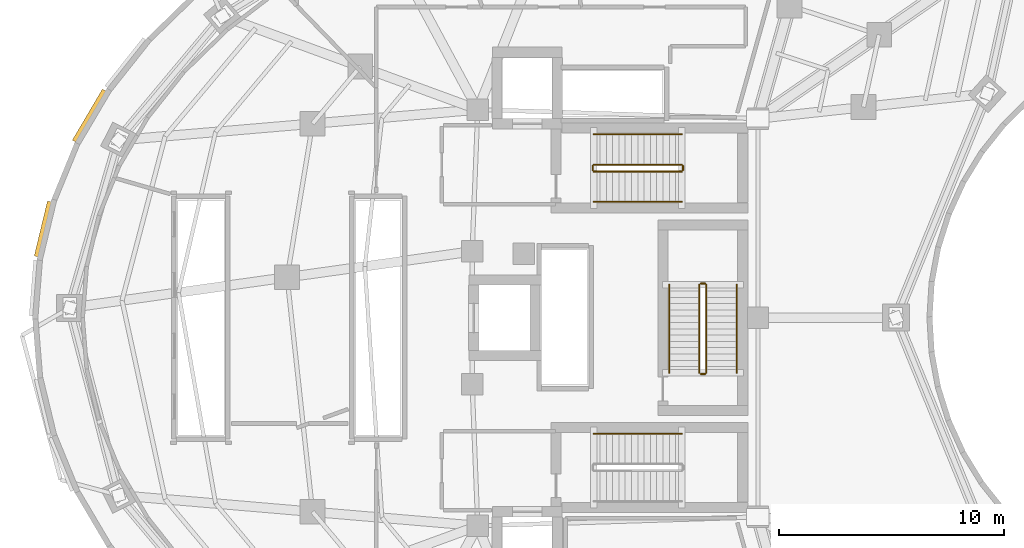
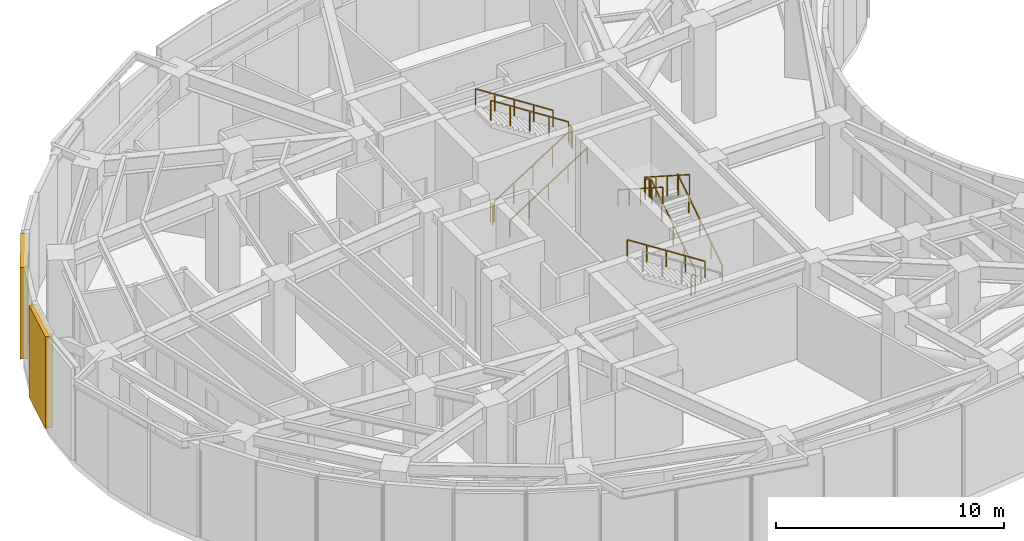
# One storey, part 9 of 10: 13 railings, 2 shading devices.
"""IFC4 building model written with IfcOpenShell, lengths in metres."""

from ifc_helpers import new_model, si_unit, direction, frame, origin, origin_2d, place, context, subcontext, project, spatial, rectangle, extrude, material, layer, layer_set, type_object, element, save


model = new_model("IFC4")

# Units and contexts
model_context = context("Model", 3, precision=1e-05, world=origin(), true_north=direction((0.0, 1.0)))
body_context = subcontext(model_context, "Body", "Model", "MODEL_VIEW")
ifc_project = project(units=[si_unit("LENGTHUNIT", "METRE"), si_unit("AREAUNIT", "SQUARE_METRE"), si_unit("VOLUMEUNIT", "CUBIC_METRE"), si_unit("PLANEANGLEUNIT", "RADIAN"), si_unit("MASSUNIT", "GRAM", prefix="KILO")], contexts=[model_context])

# Site, building, storey
site_placement = place(None, origin())
site = spatial("IfcSite", under=ifc_project, at=site_placement, CompositionType="ELEMENT")
building_placement = place(site_placement, origin())
building = spatial("IfcBuilding", under=site, at=building_placement, Name="Korentha Bioscience Tower", CompositionType="ELEMENT")
storey_placement = place(building_placement, frame((0.0, 0.0, 84.60009765625)))
storey = spatial("IfcBuildingStorey", under=building, at=storey_placement, Name="L19", CompositionType="ELEMENT", Elevation=84.60009765625)

# Shading devices
ifc_material_1 = material(Name="Powder-Coated Aluminium Louvre", Category="aluminium")
ifc_layer = layer(ifc_material_1, 0.1201171875, Name="Powder-Coated Aluminium Louvre")
ifc_layer_set = layer_set([ifc_layer], Name="Powder-Coated Aluminium Louvre (LV-350)")
shading_device_type = type_object("IfcShadingDeviceType", Name="Acoustic Weatherproof Aluminium Plant Louvre 350", PredefinedType="USERDEFINED", material=ifc_layer_set)
shading_device_1_placement = place(storey_placement, frame((7.903564453125, 35.939453125, 0.099853515625), z_axis=(0.0, 0.0, 1.0), x_axis=(-0.508189201454, -0.861245456026, 0.0)))
element("IfcShadingDevice", 1, at=shading_device_1_placement, inside=storey, type_object=shading_device_type, Name="L19 Acoustic Plant Louvre 15", ObjectType="LOUVRE", PredefinedType="USERDEFINED", context=body_context, shape_type="SweptSolid", body=[
    extrude(rectangle(XDim=2.635009765625, YDim=0.35009765625, at=origin_2d()), origin(), (0.0, 0.0, 1.0), 4.89990234375),
])
shading_device_2_placement = place(storey_placement, frame((5.854248046875, 30.925048828125, 0.099853515625), z_axis=(0.0, 0.0, 1.0), x_axis=(-0.233725851119, -0.972302538575, 0.0)))
element("IfcShadingDevice", 2, at=shading_device_2_placement, inside=storey, type_object=shading_device_type, Name="L19 Acoustic Plant Louvre 17", ObjectType="LOUVRE", PredefinedType="USERDEFINED", context=body_context, shape_type="SweptSolid", body=[
    extrude(rectangle(XDim=2.508544921875, YDim=0.35009765625, at=origin_2d()), origin(), (0.0, 0.0, 1.0), 4.89990234375),
])

# Railings
ifc_material_2 = material(Name="Stainless Steel 304", Category="steel")
railing_type_1 = type_object("IfcRailingType", Name="Brushed Stainless Stair Handrail 900", PredefinedType="HANDRAIL", material=ifc_material_2)
railing_1_placement = place(storey_placement, frame((30.25, 32.14990234375, 0.179931640625)))
element("IfcRailing", 3, at=railing_1_placement, inside=storey, type_object=railing_type_1, Name="L19 ST-1 stair handrail 1", PredefinedType="HANDRAIL", context=body_context, shape_type="SweptSolid", body=[
    extrude(rectangle(XDim=0.048095703125, YDim=0.048095703125, at=origin_2d()), frame((0.0, 0.0, 0.8759765625), z_axis=(0.841171666519, 0.0, 0.540768182723), x_axis=(0.0, 1.0, 0.0)), (0.0, 0.0, 1.0), 4.66015625),
    extrude(rectangle(XDim=0.0419921875, YDim=0.0419921875, at=origin_2d()), origin(), (0.0, 0.0, 1.0), 0.851806640625),
    extrude(rectangle(XDim=0.0419921875, YDim=0.0419921875, at=origin_2d()), frame((0.97998046875, 0.0, 0.6298828125)), (0.0, 0.0, 1.0), 0.851806640625),
    extrude(rectangle(XDim=0.0419921875, YDim=0.0419921875, at=origin_2d()), frame((1.9599609375, 0.0, 1.260009765625)), (0.0, 0.0, 1.0), 0.851806640625),
    extrude(rectangle(XDim=0.0419921875, YDim=0.0419921875, at=origin_2d()), frame((2.93994140625, 0.0, 1.89013671875)), (0.0, 0.0, 1.0), 0.851806640625),
    extrude(rectangle(XDim=0.0419921875, YDim=0.0419921875, at=origin_2d()), frame((3.919921875, 0.0, 2.52001953125)), (0.0, 0.0, 1.0), 0.851806640625),
])
for number, where, name in (
    (4, (34.169921875, 35.14990234375, 2.8798828125), "L19 ST-1 stair handrail 2"),
    (5, (34.169921875, 21.85009765625, 2.8798828125), "L19 ST-2 stair handrail 2"),
):
    element("IfcRailing", number, at=place(storey_placement, frame(where)), inside=storey, type_object=railing_type_1, Name=name, PredefinedType="HANDRAIL", context=body_context, shape_type="SweptSolid", body=[
        extrude(rectangle(XDim=0.048095703125, YDim=0.048095703125, at=origin_2d()), frame((0.0, 0.0, 0.8759765625), z_axis=(-0.841171666519, 0.0, 0.540768182723), x_axis=(0.0, -1.0, 0.0)), (0.0, 0.0, 1.0), 4.66015625),
        extrude(rectangle(XDim=0.0419921875, YDim=0.0419921875, at=origin_2d()), origin(), (0.0, 0.0, 1.0), 0.851806640625),
        extrude(rectangle(XDim=0.0419921875, YDim=0.0419921875, at=origin_2d()), frame((-0.97998046875, 0.0, 0.6298828125)), (0.0, 0.0, 1.0), 0.851806640625),
        extrude(rectangle(XDim=0.0419921875, YDim=0.0419921875, at=origin_2d()), frame((-1.9599609375, 0.0, 1.260009765625)), (0.0, 0.0, 1.0), 0.851806640625),
        extrude(rectangle(XDim=0.0419921875, YDim=0.0419921875, at=origin_2d()), frame((-2.93994140625, 0.0, 1.89013671875)), (0.0, 0.0, 1.0), 0.851806640625),
        extrude(rectangle(XDim=0.0419921875, YDim=0.0419921875, at=origin_2d()), frame((-3.919921875, 0.0, 2.52001953125)), (0.0, 0.0, 1.0), 0.851806640625),
    ])
railing_2_placement = place(storey_placement, frame((36.60009765625, 24.550048828125, 0.179931640625)))
element("IfcRailing", 6, at=railing_2_placement, inside=storey, type_object=railing_type_1, Name="L19 ST-3 stair handrail 1", PredefinedType="HANDRAIL", context=body_context, shape_type="SweptSolid", body=[
    extrude(rectangle(XDim=0.048095703125, YDim=0.048095703125, at=origin_2d()), frame((0.0, 0.0, 0.8759765625), z_axis=(0.0, 0.841171666519, 0.540768182723), x_axis=(-1.0, 0.0, 0.0)), (0.0, 0.0, 1.0), 4.66015625),
    extrude(rectangle(XDim=0.0419921875, YDim=0.0419921875, at=origin_2d()), origin(), (0.0, 0.0, 1.0), 0.851806640625),
    extrude(rectangle(XDim=0.0419921875, YDim=0.0419921875, at=origin_2d()), frame((0.0, 0.97998046875, 0.6298828125)), (0.0, 0.0, 1.0), 0.851806640625),
    extrude(rectangle(XDim=0.0419921875, YDim=0.0419921875, at=origin_2d()), frame((0.0, 1.9599609375, 1.260009765625)), (0.0, 0.0, 1.0), 0.851806640625),
    extrude(rectangle(XDim=0.0419921875, YDim=0.0419921875, at=origin_2d()), frame((0.0, 2.93994140625, 1.89013671875)), (0.0, 0.0, 1.0), 0.851806640625),
    extrude(rectangle(XDim=0.0419921875, YDim=0.0419921875, at=origin_2d()), frame((0.0, 3.919921875, 2.52001953125)), (0.0, 0.0, 1.0), 0.851806640625),
])
railing_3_placement = place(storey_placement, frame((33.60009765625, 28.469970703125, 2.8798828125)))
element("IfcRailing", 7, at=railing_3_placement, inside=storey, type_object=railing_type_1, Name="L19 ST-3 stair handrail 2", PredefinedType="HANDRAIL", context=body_context, shape_type="SweptSolid", body=[
    extrude(rectangle(XDim=0.048095703125, YDim=0.048095703125, at=origin_2d()), frame((0.0, 0.0, 0.8759765625), z_axis=(0.0, -0.841171666519, 0.540768182723), x_axis=(1.0, 0.0, 0.0)), (0.0, 0.0, 1.0), 4.66015625),
    extrude(rectangle(XDim=0.0419921875, YDim=0.0419921875, at=origin_2d()), origin(), (0.0, 0.0, 1.0), 0.851806640625),
    extrude(rectangle(XDim=0.0419921875, YDim=0.0419921875, at=origin_2d()), frame((0.0, -0.97998046875, 0.6298828125)), (0.0, 0.0, 1.0), 0.851806640625),
    extrude(rectangle(XDim=0.0419921875, YDim=0.0419921875, at=origin_2d()), frame((0.0, -1.9599609375, 1.260009765625)), (0.0, 0.0, 1.0), 0.851806640625),
    extrude(rectangle(XDim=0.0419921875, YDim=0.0419921875, at=origin_2d()), frame((0.0, -2.93994140625, 1.89013671875)), (0.0, 0.0, 1.0), 0.851806640625),
    extrude(rectangle(XDim=0.0419921875, YDim=0.0419921875, at=origin_2d()), frame((0.0, -3.919921875, 2.52001953125)), (0.0, 0.0, 1.0), 0.851806640625),
])
ifc_material_3 = material(Name="Painted Steel S275", Category="steel")
railing_type_2 = type_object("IfcRailingType", Name="Painted Steel Stair Well Guardrail 1100", PredefinedType="GUARDRAIL", material=ifc_material_3)
railing_4_placement = place(storey_placement, frame((30.25, 33.5, 0.179931640625)))
element("IfcRailing", 8, at=railing_4_placement, inside=storey, type_object=railing_type_2, Name="L19 ST-1 stair guard 1", PredefinedType="GUARDRAIL", context=body_context, shape_type="SweptSolid", body=[
    extrude(rectangle(XDim=0.048095703125, YDim=0.048095703125, at=origin_2d()), frame((0.0, 0.0, 1.076171875), z_axis=(0.841171666519, 0.0, 0.540768182723), x_axis=(0.0, 1.0, 0.0)), (0.0, 0.0, 1.0), 4.66015625),
    extrude(rectangle(XDim=0.0419921875, YDim=0.0419921875, at=origin_2d()), origin(), (0.0, 0.0, 1.0), 1.052001953125),
    extrude(rectangle(XDim=0.0419921875, YDim=0.0419921875, at=origin_2d()), frame((0.97998046875, 0.0, 0.6298828125)), (0.0, 0.0, 1.0), 1.052001953125),
    extrude(rectangle(XDim=0.0419921875, YDim=0.0419921875, at=origin_2d()), frame((1.9599609375, 0.0, 1.260009765625)), (0.0, 0.0, 1.0), 1.052001953125),
    extrude(rectangle(XDim=0.0419921875, YDim=0.0419921875, at=origin_2d()), frame((2.93994140625, 0.0, 1.89013671875)), (0.0, 0.0, 1.0), 1.052001953125),
    extrude(rectangle(XDim=0.0419921875, YDim=0.0419921875, at=origin_2d()), frame((3.919921875, 0.0, 2.52001953125)), (0.0, 0.0, 1.0), 1.052001953125),
])
railing_5_placement = place(storey_placement, frame((34.219970703125, 33.550048828125, 2.699951171875)))
element("IfcRailing", 9, at=railing_5_placement, inside=storey, type_object=railing_type_2, Name="L19 ST-1 stair guard 2", PredefinedType="GUARDRAIL", context=body_context, shape_type="SweptSolid", body=[
    extrude(rectangle(XDim=0.048095703125, YDim=0.048095703125, at=origin_2d()), frame((0.0, 0.0, 1.076171875), z_axis=(0.0, 1.0, 0.0), x_axis=(-1.0, 0.0, 0.0)), (0.0, 0.0, 1.0), 0.199951171875),
    extrude(rectangle(XDim=0.0419921875, YDim=0.0419921875, at=origin_2d()), origin(), (0.0, 0.0, 1.0), 1.052001953125),
    extrude(rectangle(XDim=0.0419921875, YDim=0.0419921875, at=origin_2d()), frame((0.0, 0.199951171875, 0.0)), (0.0, 0.0, 1.0), 1.052001953125),
])
railing_6_placement = place(storey_placement, frame((34.169921875, 33.800048828125, 2.8798828125)))
element("IfcRailing", 10, at=railing_6_placement, inside=storey, type_object=railing_type_2, Name="L19 ST-1 stair guard 3", PredefinedType="GUARDRAIL", context=body_context, shape_type="SweptSolid", body=[
    extrude(rectangle(XDim=0.048095703125, YDim=0.048095703125, at=origin_2d()), frame((0.0, 0.0, 1.076171875), z_axis=(-0.841171666519, 0.0, 0.540768182723), x_axis=(0.0, -1.0, 0.0)), (0.0, 0.0, 1.0), 4.66015625),
    extrude(rectangle(XDim=0.0419921875, YDim=0.0419921875, at=origin_2d()), origin(), (0.0, 0.0, 1.0), 1.052001953125),
    extrude(rectangle(XDim=0.0419921875, YDim=0.0419921875, at=origin_2d()), frame((-0.97998046875, 0.0, 0.6298828125)), (0.0, 0.0, 1.0), 1.052001953125),
    extrude(rectangle(XDim=0.0419921875, YDim=0.0419921875, at=origin_2d()), frame((-1.9599609375, 0.0, 1.260009765625)), (0.0, 0.0, 1.0), 1.052001953125),
    extrude(rectangle(XDim=0.0419921875, YDim=0.0419921875, at=origin_2d()), frame((-2.93994140625, 0.0, 1.89013671875)), (0.0, 0.0, 1.0), 1.052001953125),
    extrude(rectangle(XDim=0.0419921875, YDim=0.0419921875, at=origin_2d()), frame((-3.919921875, 0.0, 2.52001953125)), (0.0, 0.0, 1.0), 1.052001953125),
])
railing_7_placement = place(storey_placement, frame((30.199951171875, 33.550048828125, 0.0)))
element("IfcRailing", 11, at=railing_7_placement, inside=storey, type_object=railing_type_2, Name="L19 ST-1 stair guard 4", PredefinedType="GUARDRAIL", context=body_context, shape_type="SweptSolid", body=[
    extrude(rectangle(XDim=0.048095703125, YDim=0.048095703125, at=origin_2d()), frame((0.0, 0.0, 1.076171875), z_axis=(0.0, 1.0, 0.0), x_axis=(-1.0, 0.0, 0.0)), (0.0, 0.0, 1.0), 0.199951171875),
    extrude(rectangle(XDim=0.0419921875, YDim=0.0419921875, at=origin_2d()), origin(), (0.0, 0.0, 1.0), 1.052001953125),
    extrude(rectangle(XDim=0.0419921875, YDim=0.0419921875, at=origin_2d()), frame((0.0, 0.199951171875, 0.0)), (0.0, 0.0, 1.0), 1.052001953125),
])
railing_8_placement = place(storey_placement, frame((35.25, 24.550048828125, 0.179931640625)))
element("IfcRailing", 12, at=railing_8_placement, inside=storey, type_object=railing_type_2, Name="L19 ST-3 stair guard 1", PredefinedType="GUARDRAIL", context=body_context, shape_type="SweptSolid", body=[
    extrude(rectangle(XDim=0.048095703125, YDim=0.048095703125, at=origin_2d()), frame((0.0, 0.0, 1.076171875), z_axis=(0.0, 0.841171666519, 0.540768182723), x_axis=(-1.0, 0.0, 0.0)), (0.0, 0.0, 1.0), 4.66015625),
    extrude(rectangle(XDim=0.0419921875, YDim=0.0419921875, at=origin_2d()), origin(), (0.0, 0.0, 1.0), 1.052001953125),
    extrude(rectangle(XDim=0.0419921875, YDim=0.0419921875, at=origin_2d()), frame((0.0, 0.97998046875, 0.6298828125)), (0.0, 0.0, 1.0), 1.052001953125),
    extrude(rectangle(XDim=0.0419921875, YDim=0.0419921875, at=origin_2d()), frame((0.0, 1.9599609375, 1.260009765625)), (0.0, 0.0, 1.0), 1.052001953125),
    extrude(rectangle(XDim=0.0419921875, YDim=0.0419921875, at=origin_2d()), frame((0.0, 2.93994140625, 1.89013671875)), (0.0, 0.0, 1.0), 1.052001953125),
    extrude(rectangle(XDim=0.0419921875, YDim=0.0419921875, at=origin_2d()), frame((0.0, 3.919921875, 2.52001953125)), (0.0, 0.0, 1.0), 1.052001953125),
])
railing_9_placement = place(storey_placement, frame((35.199951171875, 28.52001953125, 2.699951171875)))
element("IfcRailing", 13, at=railing_9_placement, inside=storey, type_object=railing_type_2, Name="L19 ST-3 stair guard 2", PredefinedType="GUARDRAIL", context=body_context, shape_type="SweptSolid", body=[
    extrude(rectangle(XDim=0.048095703125, YDim=0.048095703125, at=origin_2d()), frame((0.0, 0.0, 1.076171875), z_axis=(-1.0, 0.0, 0.0), x_axis=(0.0, -1.0, 0.0)), (0.0, 0.0, 1.0), 0.199951171875),
    extrude(rectangle(XDim=0.0419921875, YDim=0.0419921875, at=origin_2d()), origin(), (0.0, 0.0, 1.0), 1.052001953125),
    extrude(rectangle(XDim=0.0419921875, YDim=0.0419921875, at=origin_2d()), frame((-0.199951171875, 0.0, 0.0)), (0.0, 0.0, 1.0), 1.052001953125),
])
railing_10_placement = place(storey_placement, frame((34.949951171875, 28.469970703125, 2.8798828125)))
element("IfcRailing", 14, at=railing_10_placement, inside=storey, type_object=railing_type_2, Name="L19 ST-3 stair guard 3", PredefinedType="GUARDRAIL", context=body_context, shape_type="SweptSolid", body=[
    extrude(rectangle(XDim=0.048095703125, YDim=0.048095703125, at=origin_2d()), frame((0.0, 0.0, 1.076171875), z_axis=(0.0, -0.841171666519, 0.540768182723), x_axis=(1.0, 0.0, 0.0)), (0.0, 0.0, 1.0), 4.66015625),
    extrude(rectangle(XDim=0.0419921875, YDim=0.0419921875, at=origin_2d()), origin(), (0.0, 0.0, 1.0), 1.052001953125),
    extrude(rectangle(XDim=0.0419921875, YDim=0.0419921875, at=origin_2d()), frame((0.0, -0.97998046875, 0.6298828125)), (0.0, 0.0, 1.0), 1.052001953125),
    extrude(rectangle(XDim=0.0419921875, YDim=0.0419921875, at=origin_2d()), frame((0.0, -1.9599609375, 1.260009765625)), (0.0, 0.0, 1.0), 1.052001953125),
    extrude(rectangle(XDim=0.0419921875, YDim=0.0419921875, at=origin_2d()), frame((0.0, -2.93994140625, 1.89013671875)), (0.0, 0.0, 1.0), 1.052001953125),
    extrude(rectangle(XDim=0.0419921875, YDim=0.0419921875, at=origin_2d()), frame((0.0, -3.919921875, 2.52001953125)), (0.0, 0.0, 1.0), 1.052001953125),
])
railing_11_placement = place(storey_placement, frame((35.199951171875, 24.5, 0.0)))
element("IfcRailing", 15, at=railing_11_placement, inside=storey, type_object=railing_type_2, Name="L19 ST-3 stair guard 4", PredefinedType="GUARDRAIL", context=body_context, shape_type="SweptSolid", body=[
    extrude(rectangle(XDim=0.048095703125, YDim=0.048095703125, at=origin_2d()), frame((0.0, 0.0, 1.076171875), z_axis=(-1.0, 0.0, 0.0), x_axis=(0.0, -1.0, 0.0)), (0.0, 0.0, 1.0), 0.199951171875),
    extrude(rectangle(XDim=0.0419921875, YDim=0.0419921875, at=origin_2d()), origin(), (0.0, 0.0, 1.0), 1.052001953125),
    extrude(rectangle(XDim=0.0419921875, YDim=0.0419921875, at=origin_2d()), frame((-0.199951171875, 0.0, 0.0)), (0.0, 0.0, 1.0), 1.052001953125),
])

save(model, "model.ifc")
